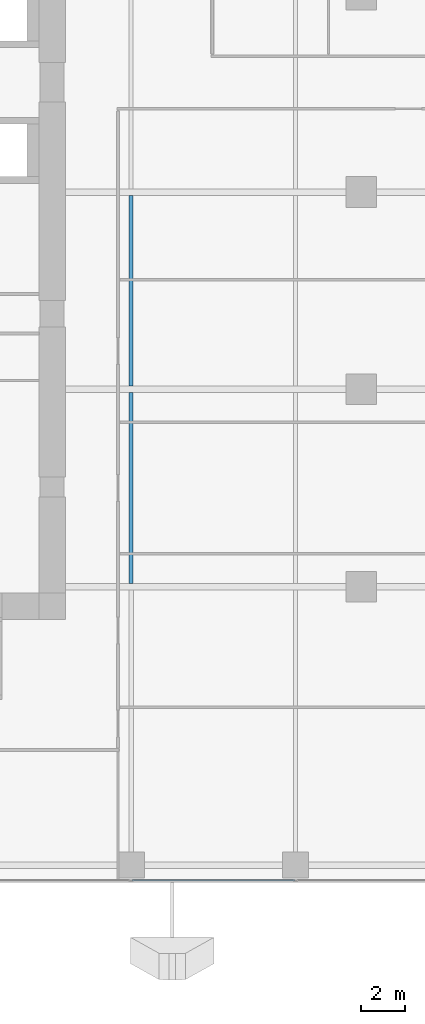
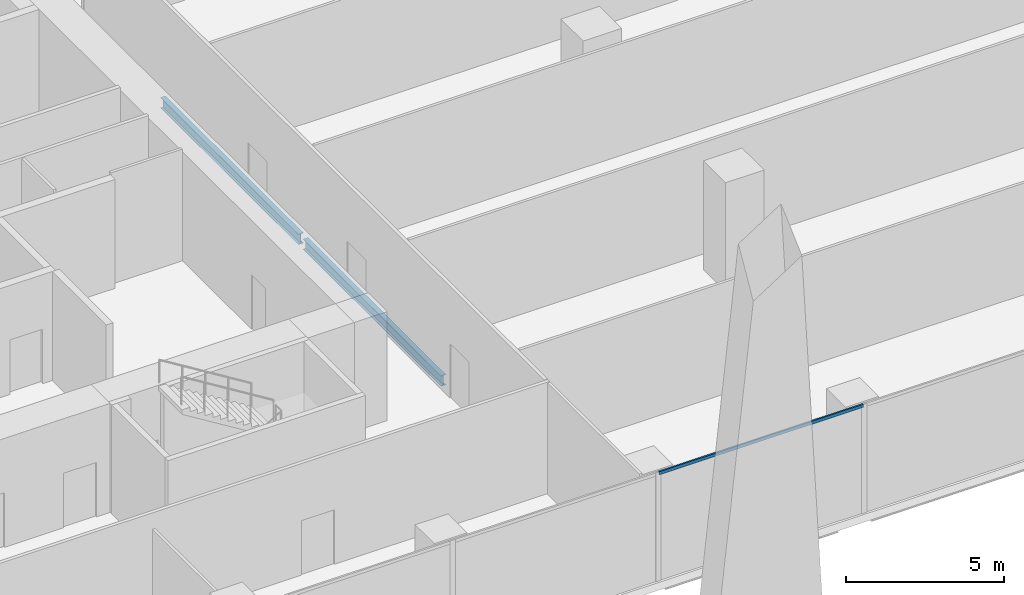
# One storey, part 6 of 35: 2 beams, 1 member, 1 element without a shape of its own.
"""IFC4 building model written with IfcOpenShell, lengths in metres."""

from ifc_helpers import new_model, si_unit, direction, frame, origin, origin_2d, place, context, subcontext, project, spatial, hollow_rectangle, i_section, extrude, source, transform, mapped, material, material_profile, profile_set, type_object, element, aggregate, save


model = new_model("IFC4")

# Units and contexts
model_context = context("Model", 3, precision=1e-05, world=origin(), true_north=direction((0.0, 1.0)))
body_context = subcontext(model_context, "Body", "Model", "MODEL_VIEW")
ifc_project = project(units=[si_unit("LENGTHUNIT", "METRE"), si_unit("AREAUNIT", "SQUARE_METRE"), si_unit("VOLUMEUNIT", "CUBIC_METRE"), si_unit("PLANEANGLEUNIT", "RADIAN"), si_unit("MASSUNIT", "GRAM", prefix="KILO")], contexts=[model_context])

# Site, building, storey
site_placement = place(None, origin())
site = spatial("IfcSite", under=ifc_project, at=site_placement, CompositionType="ELEMENT")
building_placement = place(site_placement, origin())
building = spatial("IfcBuilding", under=site, at=building_placement, Name="Khomas Fold Tower", CompositionType="ELEMENT")
storey_placement = place(building_placement, frame((0.0, 0.0, 69.0)))
storey = spatial("IfcBuildingStorey", under=building, at=storey_placement, Name="L14", CompositionType="ELEMENT", Elevation=69.0)

# Beams
ifc_material_1 = material(Name="Steel S355", Category="steel")
ifc_material_profile_1 = material_profile(ifc_material_1, i_section(OverallWidth=0.179931640625, OverallDepth=0.39990234375, WebThickness=0.008544921875, FlangeThickness=0.013427734375, at=origin_2d()), Name="IPE 400")
ifc_profile_set_1 = profile_set([ifc_material_profile_1], Name="Steel S355")
beam_type = type_object("IfcBeamType", Name="IPE 400 beam JB3", PredefinedType="BEAM", material=ifc_profile_set_1)
shared_shape_1 = source(origin(), body_context, "Body", "SweptSolid", [
    extrude(i_section(OverallWidth=0.179931640625, OverallDepth=0.39990234375, WebThickness=0.008544921875, FlangeThickness=0.013427734375, at=origin_2d()), origin(), (0.0, 0.0, 1.0), 8.7001953125),
])
for number, where, z_axis, x_axis, name in (
    (1, (27.0, 13.64990234375, -0.5), (0.0, 1.0, 0.0), (-1.0, 0.0, 0.0), "JB3"),
    (2, (27.0, 22.64990234375, -0.5), (0.0, 1.0, 0.0), (-1.0, 0.0, 0.0), "JB3"),
):
    element("IfcBeam", number, at=place(storey_placement, frame(where, z_axis=z_axis, x_axis=x_axis)), inside=storey, type_object=beam_type, Name=name, PredefinedType="BEAM", context=body_context, shape_type="MappedRepresentation", body=[
        mapped(shared_shape_1, transform((0.0, 0.0, 0.0))),
    ])

# Curtain wall, member
ifc_material_2 = material(Name="Aluminium framed double glazing", Category="aluminium")
curtain_wall_type = type_object("IfcCurtainWallType", Name="SK-Unitised clear-glass wall, growing floors CW1", PredefinedType="NOTDEFINED", material=ifc_material_2)
curtain_wall_placement = place(storey_placement, origin())
curtain_wall = element("IfcCurtainWall", 3, at=curtain_wall_placement, inside=storey, type_object=curtain_wall_type, Name="CW1 run L14 00-0", PredefinedType="NOTDEFINED")
ifc_material_3 = material(Name="Aluminium", Category="aluminium")
ifc_material_profile_2 = material_profile(ifc_material_3, hollow_rectangle(XDim=0.06005859375, YDim=0.1201171875, WallThickness=0.00390625, at=origin_2d()), Name="SK-Unitised clear-glass wall, growing floors transom CW1-T")
ifc_profile_set_2 = profile_set([ifc_material_profile_2], Name="Aluminium")
member_type = type_object("IfcMemberType", Name="SK-Unitised clear-glass wall, growing floors transom CW1-T", PredefinedType="USERDEFINED", material=ifc_profile_set_2)
shared_shape_2 = source(origin(), body_context, "Body", "SweptSolid", [
    extrude(hollow_rectangle(XDim=0.06005859375, YDim=0.1201171875, WallThickness=0.00390625, at=origin_2d()), origin(), (0.0, 0.0, 1.0), 7.43994140625),
])
member_placement = place(storey_placement, frame((27.030029296875, 0.10009765625, 4.139892578125), z_axis=(1.0, 0.0, 0.0), x_axis=(0.0, 1.0, 0.0)))
member = element("IfcMember", 4, at=member_placement, type_object=member_type, Name="CW1 transom 5", ObjectType="TRANSOM", PredefinedType="USERDEFINED", context=body_context, shape_type="MappedRepresentation", body=[
    mapped(shared_shape_2, transform((0.0, 0.0, 0.0))),
])
aggregate(curtain_wall, [member])

save(model, "model.ifc")
